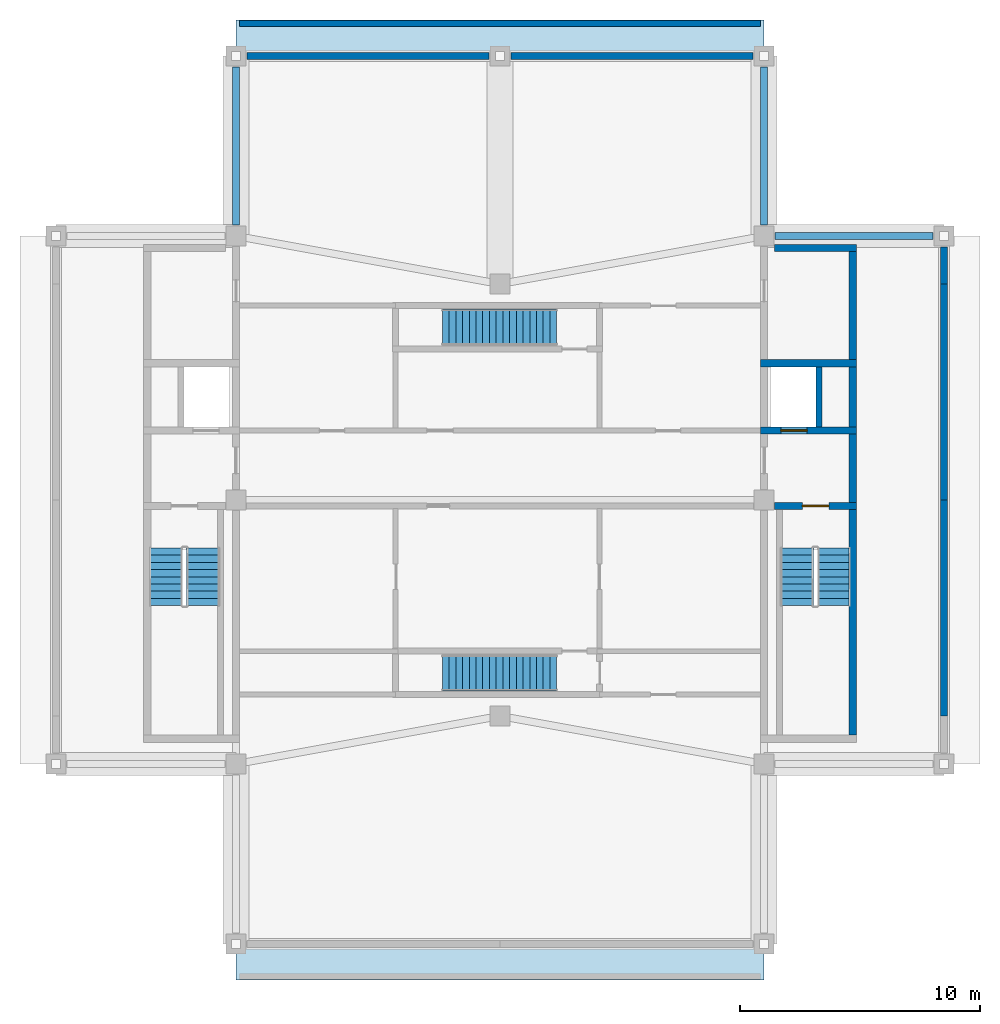
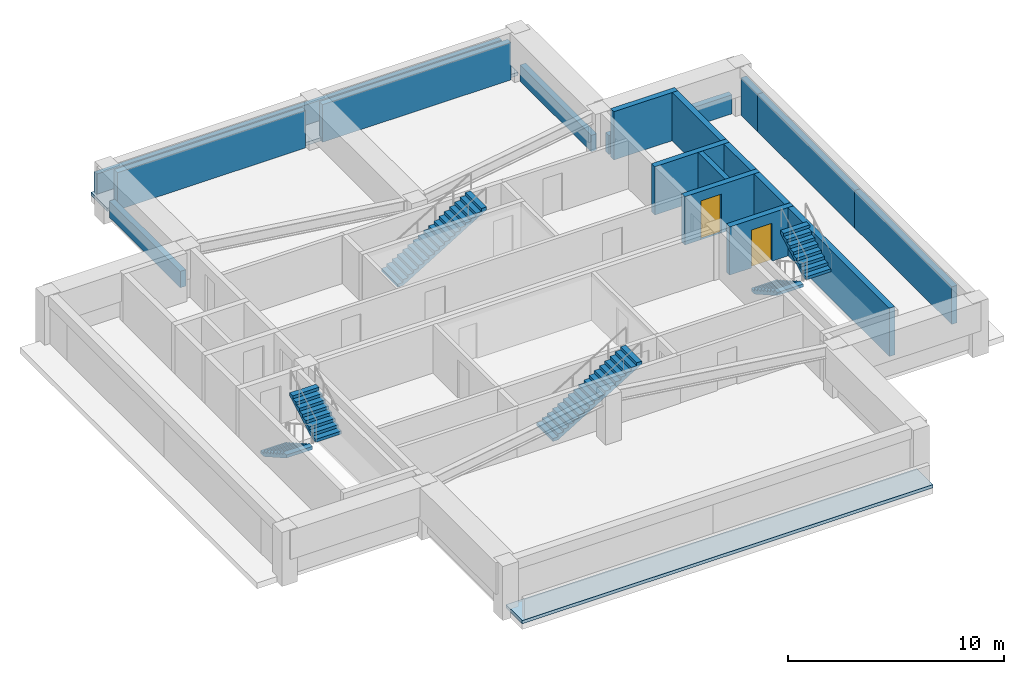
# One storey, part 3 of 4: 18 walls, 6 stair flights, 2 doors, 2 roofs, 2 openings, 4 elements without a shape of their own.
"""IFC4 building model written with IfcOpenShell, lengths in metres."""

from ifc_helpers import new_model, si_unit, direction, frame, frame_2d, origin, place, context, subcontext, project, spatial, polyline, rectangle, outline, extrude, material, layer, layer_set, type_object, element, fill, aggregate, save


model = new_model("IFC4")

# Units and contexts
model_context = context("Model", 3, precision=1e-05, world=origin(), true_north=direction((0.0, 1.0)))
body_context = subcontext(model_context, "Body", "Model", "MODEL_VIEW")
ifc_project = project(units=[si_unit("LENGTHUNIT", "METRE"), si_unit("AREAUNIT", "SQUARE_METRE"), si_unit("VOLUMEUNIT", "CUBIC_METRE"), si_unit("PLANEANGLEUNIT", "RADIAN"), si_unit("MASSUNIT", "GRAM", prefix="KILO")], contexts=[model_context])

# Site, building, storey
site_placement = place(None, origin())
site = spatial("IfcSite", under=ifc_project, at=site_placement, CompositionType="ELEMENT")
building_placement = place(site_placement, origin())
building = spatial("IfcBuilding", under=site, at=building_placement, Name="Zulmaris Gate Convention Tower", CompositionType="ELEMENT")
storey_placement = place(building_placement, frame((0.0, 0.0, 284.85986328125)))
storey = spatial("IfcBuildingStorey", under=building, at=storey_placement, Name="L76", CompositionType="ELEMENT", Elevation=284.85986328125)

# Wall
ifc_material_1 = material(Name="Concrete C50/60", Category="concrete")
ifc_layer_1 = layer(ifc_material_1, 0.25, Name="Concrete C50/60")
ifc_layer_set_1 = layer_set([ifc_layer_1], Name="Concrete C50/60")
wall_type_1 = type_object("IfcWallType", Name="CORE-250", PredefinedType="SOLIDWALL", material=ifc_layer_set_1)
wall_1_placement = place(storey_placement, frame((13.300048828125, 3.052001953125, 0.0), z_axis=(0.0, 0.0, 1.0), x_axis=(0.0, 1.0, 0.0)))
element("IfcWall", 1, at=wall_1_placement, inside=storey, type_object=wall_type_1, Name="WL-L76-042", PredefinedType="SOLIDWALL", context=body_context, shape_type="SweptSolid", body=[
    extrude(rectangle(XDim=2.49609375, YDim=0.25, at=frame_2d((1.248046875, 0.0))), origin(), (0.0, 0.0, 1.0), 2.735107421875),
])

# Wall, opening, door
ifc_layer_2 = layer(ifc_material_1, 0.300048828125, Name="Concrete C50/60")
ifc_layer_set_2 = layer_set([ifc_layer_2], Name="Concrete C50/60")
wall_type_2 = type_object("IfcWallType", Name="CORE-300", PredefinedType="SHEAR", material=ifc_layer_set_2)
wall_2_placement = place(storey_placement, frame((11.428955078125, -0.25, 0.0), z_axis=(0.0, 0.0, 1.0), x_axis=(1.0, 0.0, 0.0)))
wall_2 = element("IfcWall", 2, at=wall_2_placement, inside=storey, type_object=wall_type_2, Name="WL-L76-006", PredefinedType="SHEAR", context=body_context, shape_type="SweptSolid", body=[
    extrude(rectangle(XDim=3.421142578125, YDim=0.300048828125, at=frame_2d((1.71044921875, 0.0))), origin(), (0.0, 0.0, 1.0), 2.735107421875),
])
opening_1_placement = place(wall_2_placement, frame((1.1708984375, 0.0, 0.0)))
opening_1 = element("IfcOpeningElement", 3, at=opening_1_placement, cuts=wall_2, Name="Opening D-08", PredefinedType="OPENING", context=body_context, shape_type="SweptSolid", body=[
    extrude(rectangle(XDim=1.10009765625, YDim=2.14990234375, at=frame_2d((0.550048828125, 1.074951171875))), frame((0.0, 0.16015625, 0.0), z_axis=(0.0, -1.0, 0.0), x_axis=(1.0, 0.0, 0.0)), (0.0, 0.0, 1.0), 0.320068359375),
])
ifc_material_2 = material(Name="Fire-Rated Steel", Category="steel")
door_type_1 = type_object("IfcDoorType", Name="DR-1100-FD", OperationType="NOTDEFINED", PredefinedType="DOOR", material=ifc_material_2)
door_1_placement = place(opening_1_placement, origin())
door_1 = element("IfcDoor", 4, at=door_1_placement, inside=storey, type_object=door_type_1, Name="L76 Exit Stair ST-2 Door 04", OperationType="SINGLE_SWING_RIGHT", OverallHeight=2.14990234375, OverallWidth=1.10009765625, PredefinedType="DOOR", context=body_context, shape_type="SweptSolid", body=[
    extrude(rectangle(XDim=1.10009765625, YDim=2.14990234375, at=frame_2d((0.550048828125, 1.074951171875))), frame((0.0, 0.02490234375, 0.0), z_axis=(0.0, -1.0, 0.0), x_axis=(1.0, 0.0, 0.0)), (0.0, 0.0, 1.0), 0.050048828125),
])
fill(opening_1, door_1)

wall_3_placement = place(storey_placement, frame((10.85009765625, 2.89990234375, 0.0), z_axis=(0.0, 0.0, 1.0), x_axis=(1.0, 0.0, 0.0)))
wall_3 = element("IfcWall", 5, at=wall_3_placement, inside=storey, type_object=wall_type_2, Name="WL-L76-008", PredefinedType="SHEAR", context=body_context, shape_type="SweptSolid", body=[
    extrude(rectangle(XDim=4.0, YDim=0.300048828125, at=frame_2d((2.0, 0.0))), origin(), (0.0, 0.0, 1.0), 2.735107421875),
])
opening_2_placement = place(wall_3_placement, frame((0.85009765625, 0.0, 0.0)))
opening_2 = element("IfcOpeningElement", 6, at=opening_2_placement, cuts=wall_3, Name="Opening D-06", PredefinedType="OPENING", context=body_context, shape_type="SweptSolid", body=[
    extrude(rectangle(XDim=1.10009765625, YDim=2.199951171875, at=frame_2d((0.550048828125, 1.10009765625))), frame((0.0, 0.16015625, 0.0), z_axis=(0.0, -1.0, 0.0), x_axis=(1.0, 0.0, 0.0)), (0.0, 0.0, 1.0), 0.320068359375),
])
ifc_material_3 = material(Name="Brushed Stainless Steel", Category="steel")
door_type_2 = type_object("IfcDoorType", Name="LD-1100", OperationType="NOTDEFINED", PredefinedType="DOOR", material=ifc_material_3)
door_2_placement = place(opening_2_placement, origin())
door_2 = element("IfcDoor", 7, at=door_2_placement, inside=storey, type_object=door_type_2, Name="L76 Lift Landing Door LF-02 06", OperationType="SLIDING_TO_RIGHT", OverallHeight=2.199951171875, OverallWidth=1.10009765625, PredefinedType="DOOR", context=body_context, shape_type="SweptSolid", body=[
    extrude(rectangle(XDim=1.10009765625, YDim=2.199951171875, at=frame_2d((0.550048828125, 1.10009765625))), frame((0.0, 0.02490234375, 0.0), z_axis=(0.0, -1.0, 0.0), x_axis=(1.0, 0.0, 0.0)), (0.0, 0.0, 1.0), 0.050048828125),
])
fill(opening_2, door_2)

# Walls
wall_4_placement = place(storey_placement, frame((10.85009765625, 5.699951171875, 0.0), z_axis=(0.0, 0.0, 1.0), x_axis=(1.0, 0.0, 0.0)))
element("IfcWall", 8, at=wall_4_placement, inside=storey, type_object=wall_type_2, Name="WL-L76-010", PredefinedType="SHEAR", context=body_context, shape_type="SweptSolid", body=[
    extrude(rectangle(XDim=4.0, YDim=0.300048828125, at=frame_2d((2.0, 0.0))), origin(), (0.0, 0.0, 1.0), 2.735107421875),
])
wall_5_placement = place(storey_placement, frame((11.428955078125, 10.5, 0.0), z_axis=(0.0, 0.0, 1.0), x_axis=(1.0, 0.0, 0.0)))
element("IfcWall", 9, at=wall_5_placement, inside=storey, type_object=wall_type_2, Name="WL-L76-014", PredefinedType="SHEAR", context=body_context, shape_type="SweptSolid", body=[
    extrude(rectangle(XDim=3.421142578125, YDim=0.300048828125, at=frame_2d((1.71044921875, 0.0))), origin(), (0.0, 0.0, 1.0), 2.735107421875),
])
wall_6_placement = place(storey_placement, frame((14.699951171875, -9.798095703125, 0.0), z_axis=(0.0, 0.0, 1.0), x_axis=(0.0, 1.0, 0.0)))
element("IfcWall", 10, at=wall_6_placement, inside=storey, type_object=wall_type_2, Name="WL-L76-043", PredefinedType="SHEAR", context=body_context, shape_type="SweptSolid", body=[
    extrude(rectangle(XDim=9.39599609375, YDim=0.300048828125, at=frame_2d((4.697998046875, 0.0))), origin(), (0.0, 0.0, 1.0), 2.735107421875),
])
wall_7_placement = place(storey_placement, frame((14.699951171875, -0.097900390625, 0.0), z_axis=(0.0, 0.0, 1.0), x_axis=(0.0, 1.0, 0.0)))
element("IfcWall", 11, at=wall_7_placement, inside=storey, type_object=wall_type_2, Name="WL-L76-044", PredefinedType="SHEAR", context=body_context, shape_type="SweptSolid", body=[
    extrude(rectangle(XDim=2.845947265625, YDim=0.300048828125, at=frame_2d((1.4228515625, 0.0))), origin(), (0.0, 0.0, 1.0), 2.735107421875),
])
wall_8_placement = place(storey_placement, frame((14.699951171875, 3.052001953125, 0.0), z_axis=(0.0, 0.0, 1.0), x_axis=(0.0, 1.0, 0.0)))
element("IfcWall", 12, at=wall_8_placement, inside=storey, type_object=wall_type_2, Name="WL-L76-045", PredefinedType="SHEAR", context=body_context, shape_type="SweptSolid", body=[
    extrude(rectangle(XDim=2.49609375, YDim=0.300048828125, at=frame_2d((1.248046875, 0.0))), origin(), (0.0, 0.0, 1.0), 2.735107421875),
])
wall_9_placement = place(storey_placement, frame((14.699951171875, 5.85205078125, 0.0), z_axis=(0.0, 0.0, 1.0), x_axis=(0.0, 1.0, 0.0)))
element("IfcWall", 13, at=wall_9_placement, inside=storey, type_object=wall_type_2, Name="WL-L76-046", PredefinedType="SHEAR", context=body_context, shape_type="SweptSolid", body=[
    extrude(rectangle(XDim=4.495849609375, YDim=0.300048828125, at=frame_2d((2.248046875, 0.0))), origin(), (0.0, 0.0, 1.0), 2.735107421875),
])
ifc_material_4 = material(Name="Precast concrete C40/50", Category="concrete")
ifc_layer_3 = layer(ifc_material_4, 0.300048828125, Name="Precast concrete C40/50")
ifc_layer_set_3 = layer_set([ifc_layer_3], Name="Precast concrete C40/50")
wall_type_3 = type_object("IfcWallType", Name="PRECAST-CROWN-300", PredefinedType="STANDARD", material=ifc_layer_set_3)
for number, where, z_axis, x_axis, name in (
    (14, (-0.455078125, 18.5, 0.0), (0.0, 0.0, 1.0), (-1.0, 0.0, 0.0), "EW-L76-CR-N0_0"),
    (15, (10.544921875, 18.5, 0.0), (0.0, 0.0, 1.0), (-1.0, 0.0, 0.0), "EW-L76-CR-N1_0"),
):
    element("IfcWall", number, at=place(storey_placement, frame(where, z_axis=z_axis, x_axis=x_axis)), inside=storey, type_object=wall_type_3, Name=name, PredefinedType="STANDARD", context=body_context, shape_type="SweptSolid", body=[
        extrude(rectangle(XDim=10.08984375, YDim=0.300048828125, at=frame_2d((5.044921875, 0.0))), origin(), (0.0, 0.0, 1.0), 2.126953125),
    ])
for number, where, z_axis, x_axis, name in (
    (16, (18.5, -9.0, 0.0), (0.0, 0.0, 1.0), (0.0, 1.0, 0.0), "EW-L76-CR-E1_0"),
    (17, (18.5, 0.0, 0.0), (0.0, 0.0, 1.0), (0.0, 1.0, 0.0), "EW-L76-CR-E2_0"),
):
    element("IfcWall", number, at=place(storey_placement, frame(where, z_axis=z_axis, x_axis=x_axis)), inside=storey, type_object=wall_type_3, Name=name, PredefinedType="STANDARD", context=body_context, shape_type="SweptSolid", body=[
        extrude(rectangle(XDim=9.0, YDim=0.300048828125, at=frame_2d((4.5, 0.0))), origin(), (0.0, 0.0, 1.0), 2.126953125),
    ])
wall_10_placement = place(storey_placement, frame((18.5, 9.0, 0.0), z_axis=(0.0, 0.0, 1.0), x_axis=(0.0, 1.0, 0.0)))
element("IfcWall", 18, at=wall_10_placement, inside=storey, type_object=wall_type_3, Name="EW-L76-CR-E3_0", PredefinedType="STANDARD", context=body_context, shape_type="SweptSolid", body=[
    extrude(rectangle(XDim=1.544921875, YDim=0.300048828125, at=frame_2d((0.7724609375, 0.0))), origin(), (0.0, 0.0, 1.0), 2.126953125),
])
wall_11_placement = place(storey_placement, frame((18.044921875, 11.0, 0.0), z_axis=(0.0, 0.0, 1.0), x_axis=(-1.0, 0.0, 0.0)))
element("IfcWall", 19, at=wall_11_placement, inside=storey, type_object=wall_type_3, Name="EW-L76-CR-NE1_0", PredefinedType="STANDARD", context=body_context, shape_type="SweptSolid", body=[
    extrude(rectangle(XDim=6.58984375, YDim=0.300048828125, at=frame_2d((3.294921875, 0.0))), origin(), (0.0, 0.0, 1.0), 1.0771484375),
])
for number, where, z_axis, x_axis, name in (
    (20, (11.0, 11.455078125, 0.0), (0.0, 0.0, 1.0), (0.0, 1.0, 0.0), "EW-L76-CR-NE2_0"),
    (21, (-11.0, 18.044921875, 0.0), (0.0, 0.0, 1.0), (0.0, -1.0, 0.0), "EW-L76-CR-NW1_0"),
):
    element("IfcWall", number, at=place(storey_placement, frame(where, z_axis=z_axis, x_axis=x_axis)), inside=storey, type_object=wall_type_3, Name=name, PredefinedType="STANDARD", context=body_context, shape_type="SweptSolid", body=[
        extrude(rectangle(XDim=6.58984375, YDim=0.300048828125, at=frame_2d((3.294921875, 0.0))), origin(), (0.0, 0.0, 1.0), 0.927001953125),
    ])
ifc_layer_4 = layer(ifc_material_4, 0.25, Name="Precast concrete C40/50")
ifc_layer_set_4 = layer_set([ifc_layer_4], Name="Precast concrete C40/50")
wall_type_4 = type_object("IfcWallType", Name="PRECAST-PARAPET-250", PredefinedType="PARAPET", material=ifc_layer_set_4)
wall_12_placement = place(storey_placement, frame((-10.85009765625, 19.85009765625, 0.179931640625), z_axis=(0.0, 0.0, 1.0), x_axis=(1.0, 0.0, 0.0)))
element("IfcWall", 22, at=wall_12_placement, inside=storey, type_object=wall_type_4, Name="PRP-L76-CROWN-N", PredefinedType="PARAPET", context=body_context, shape_type="SweptSolid", body=[
    extrude(rectangle(XDim=21.7001953125, YDim=0.25, at=frame_2d((10.85009765625, 0.0))), origin(), (0.0, 0.0, 1.0), 1.14013671875),
])

# Stair, stair flights
ifc_material_5 = material(Name="Concrete C45/55", Category="concrete")
stair_type_1 = type_object("IfcStairType", Name="ST-CORE-DOGLEG", PredefinedType="HALF_TURN_STAIR", material=ifc_material_5)
stair_1_placement = place(storey_placement, origin())
stair_1 = element("IfcStair", 23, at=stair_1_placement, inside=storey, type_object=stair_type_1, Name="L76 Core Exit Stair ST-1", PredefinedType="HALF_TURN_STAIR")
ifc_layer_5 = layer(ifc_material_5, 0.14990234375, Name="Concrete C45/55")
ifc_layer_set_5 = layer_set([ifc_layer_5], Name="Concrete C45/55")
stair_flight_type = type_object("IfcStairFlightType", Name="STF-RC150", PredefinedType="STRAIGHT", material=ifc_layer_set_5)
stair_flight_1_placement = place(storey_placement, frame((-13.919921875, -2.0, 0.0), z_axis=(0.0, 0.0, 1.0), x_axis=(0.0, -1.0, 0.0)))
stair_flight_1 = element("IfcStairFlight", 24, at=stair_flight_1_placement, type_object=stair_flight_type, Name="ST-1 flight 1", NumberOfRisers=9, NumberOfTreads=8, PredefinedType="STRAIGHT", RiserHeight=0.17, TreadLength=0.3, context=body_context, shape_type="SweptSolid", body=[
    extrude(outline(polyline([(0.0, 0.0), (0.0, 0.169921875), (0.300048828125, 0.169921875), (0.300048828125, 0.340087890625), (0.60009765625, 0.340087890625), (0.60009765625, 0.510009765625), (0.89990234375, 0.510009765625), (0.89990234375, 0.679931640625), (1.199951171875, 0.679931640625), (1.199951171875, 0.85009765625), (1.5, 0.85009765625), (1.5, 1.02001953125), (1.800048828125, 1.02001953125), (1.800048828125, 1.18994140625), (2.10009765625, 1.18994140625), (2.10009765625, 1.360107421875), (2.39990234375, 1.360107421875), (2.39990234375, 1.530029296875), (2.39990234375, 1.187744140625), (0.303955078125, 0.0), (0.0, 0.0)])), frame((0.0, 0.699951171875, 0.0), z_axis=(0.0, -1.0, 0.0), x_axis=(1.0, 0.0, 0.0)), (0.0, 0.0, 1.0), 1.39990234375),
])
stair_flight_2_placement = place(storey_placement, frame((-12.360107421875, -4.39990234375, 1.530029296875), z_axis=(0.0, 0.0, 1.0), x_axis=(0.0, 1.0, 0.0)))
stair_flight_2 = element("IfcStairFlight", 25, at=stair_flight_2_placement, type_object=stair_flight_type, Name="ST-1 flight 2", NumberOfRisers=9, NumberOfTreads=8, PredefinedType="STRAIGHT", RiserHeight=0.17, TreadLength=0.3, context=body_context, shape_type="SweptSolid", body=[
    extrude(outline(polyline([(0.0, 0.0), (0.0, 0.169921875), (0.300048828125, 0.169921875), (0.300048828125, 0.340087890625), (0.60009765625, 0.340087890625), (0.60009765625, 0.510009765625), (0.89990234375, 0.510009765625), (0.89990234375, 0.679931640625), (1.199951171875, 0.679931640625), (1.199951171875, 0.85009765625), (1.5, 0.85009765625), (1.5, 1.02001953125), (1.800048828125, 1.02001953125), (1.800048828125, 1.18994140625), (2.10009765625, 1.18994140625), (2.10009765625, 1.360107421875), (2.39990234375, 1.360107421875), (2.39990234375, 1.530029296875), (2.39990234375, 1.187744140625), (0.303955078125, 0.0), (0.0, 0.0)])), frame((0.0, 0.699951171875, 0.0), z_axis=(0.0, -1.0, 0.0), x_axis=(1.0, 0.0, 0.0)), (0.0, 0.0, 1.0), 1.39990234375),
])
aggregate(stair_1, [stair_flight_1, stair_flight_2])

stair_2_placement = place(storey_placement, origin())
stair_2 = element("IfcStair", 26, at=stair_2_placement, inside=storey, type_object=stair_type_1, Name="L76 Core Exit Stair ST-2", PredefinedType="HALF_TURN_STAIR")
stair_flight_3_placement = place(storey_placement, frame((12.360107421875, -2.0, 0.0), z_axis=(0.0, 0.0, 1.0), x_axis=(0.0, -1.0, 0.0)))
stair_flight_3 = element("IfcStairFlight", 27, at=stair_flight_3_placement, type_object=stair_flight_type, Name="ST-2 flight 1", NumberOfRisers=9, NumberOfTreads=8, PredefinedType="STRAIGHT", RiserHeight=0.17, TreadLength=0.3, context=body_context, shape_type="SweptSolid", body=[
    extrude(outline(polyline([(0.0, 0.0), (0.0, 0.169921875), (0.300048828125, 0.169921875), (0.300048828125, 0.340087890625), (0.60009765625, 0.340087890625), (0.60009765625, 0.510009765625), (0.89990234375, 0.510009765625), (0.89990234375, 0.679931640625), (1.199951171875, 0.679931640625), (1.199951171875, 0.85009765625), (1.5, 0.85009765625), (1.5, 1.02001953125), (1.800048828125, 1.02001953125), (1.800048828125, 1.18994140625), (2.10009765625, 1.18994140625), (2.10009765625, 1.360107421875), (2.39990234375, 1.360107421875), (2.39990234375, 1.530029296875), (2.39990234375, 1.187744140625), (0.303955078125, 0.0), (0.0, 0.0)])), frame((0.0, 0.699951171875, 0.0), z_axis=(0.0, -1.0, 0.0), x_axis=(1.0, 0.0, 0.0)), (0.0, 0.0, 1.0), 1.39990234375),
])
stair_flight_4_placement = place(storey_placement, frame((13.919921875, -4.39990234375, 1.530029296875), z_axis=(0.0, 0.0, 1.0), x_axis=(0.0, 1.0, 0.0)))
stair_flight_4 = element("IfcStairFlight", 28, at=stair_flight_4_placement, type_object=stair_flight_type, Name="ST-2 flight 2", NumberOfRisers=9, NumberOfTreads=8, PredefinedType="STRAIGHT", RiserHeight=0.17, TreadLength=0.3, context=body_context, shape_type="SweptSolid", body=[
    extrude(outline(polyline([(0.0, 0.0), (0.0, 0.169921875), (0.300048828125, 0.169921875), (0.300048828125, 0.340087890625), (0.60009765625, 0.340087890625), (0.60009765625, 0.510009765625), (0.89990234375, 0.510009765625), (0.89990234375, 0.679931640625), (1.199951171875, 0.679931640625), (1.199951171875, 0.85009765625), (1.5, 0.85009765625), (1.5, 1.02001953125), (1.800048828125, 1.02001953125), (1.800048828125, 1.18994140625), (2.10009765625, 1.18994140625), (2.10009765625, 1.360107421875), (2.39990234375, 1.360107421875), (2.39990234375, 1.530029296875), (2.39990234375, 1.187744140625), (0.303955078125, 0.0), (0.0, 0.0)])), frame((0.0, 0.699951171875, 0.0), z_axis=(0.0, -1.0, 0.0), x_axis=(1.0, 0.0, 0.0)), (0.0, 0.0, 1.0), 1.39990234375),
])
aggregate(stair_2, [stair_flight_3, stair_flight_4])

# Stair, stair flight
stair_type_2 = type_object("IfcStairType", Name="ST-CRN-STRAIGHT", PredefinedType="STRAIGHT_RUN_STAIR", material=ifc_material_5)
stair_3_placement = place(storey_placement, origin())
stair_3 = element("IfcStair", 29, at=stair_3_placement, inside=storey, type_object=stair_type_2, Name="L76 Crown Straight Stair ST-7", PredefinedType="STRAIGHT_RUN_STAIR")
stair_flight_5_placement = place(storey_placement, frame((-2.39990234375, -7.199951171875, 0.0), z_axis=(0.0, 0.0, 1.0), x_axis=(1.0, 0.0, 0.0)))
stair_flight_5 = element("IfcStairFlight", 30, at=stair_flight_5_placement, type_object=stair_flight_type, Name="ST-7 flight 1", NumberOfRisers=18, NumberOfTreads=17, PredefinedType="STRAIGHT", RiserHeight=0.17, TreadLength=0.28, context=body_context, shape_type="SweptSolid", body=[
    extrude(outline(polyline([(0.0, 0.0), (0.0, 0.169921875), (0.280029296875, 0.169921875), (0.280029296875, 0.340087890625), (0.56005859375, 0.340087890625), (0.56005859375, 0.510009765625), (0.840087890625, 0.510009765625), (0.840087890625, 0.679931640625), (1.1201171875, 0.679931640625), (1.1201171875, 0.85009765625), (1.39990234375, 0.85009765625), (1.39990234375, 1.02001953125), (1.679931640625, 1.02001953125), (1.679931640625, 1.18994140625), (1.9599609375, 1.18994140625), (1.9599609375, 1.360107421875), (2.239990234375, 1.360107421875), (2.239990234375, 1.530029296875), (2.52001953125, 1.530029296875), (2.52001953125, 1.699951171875), (2.800048828125, 1.699951171875), (2.800048828125, 1.8701171875), (3.080078125, 1.8701171875), (3.080078125, 2.0400390625), (3.360107421875, 2.0400390625), (3.360107421875, 2.2099609375), (3.639892578125, 2.2099609375), (3.639892578125, 2.3798828125), (3.919921875, 2.3798828125), (3.919921875, 2.550048828125), (4.199951171875, 2.550048828125), (4.199951171875, 2.719970703125), (4.47998046875, 2.719970703125), (4.47998046875, 2.889892578125), (4.760009765625, 2.889892578125), (4.760009765625, 3.06005859375), (4.760009765625, 2.714599609375), (0.288818359375, 0.0), (0.0, 0.0)])), frame((0.0, 0.75, 0.0), z_axis=(0.0, -1.0, 0.0), x_axis=(1.0, 0.0, 0.0)), (0.0, 0.0, 1.0), 1.5),
])
aggregate(stair_3, [stair_flight_5])

stair_4_placement = place(storey_placement, origin())
stair_4 = element("IfcStair", 31, at=stair_4_placement, inside=storey, type_object=stair_type_2, Name="L76 Crown Straight Stair ST-8", PredefinedType="STRAIGHT_RUN_STAIR")
stair_flight_6_placement = place(storey_placement, frame((-2.39990234375, 7.199951171875, 0.0), z_axis=(0.0, 0.0, 1.0), x_axis=(1.0, 0.0, 0.0)))
stair_flight_6 = element("IfcStairFlight", 32, at=stair_flight_6_placement, type_object=stair_flight_type, Name="ST-8 flight 1", NumberOfRisers=18, NumberOfTreads=17, PredefinedType="STRAIGHT", RiserHeight=0.17, TreadLength=0.28, context=body_context, shape_type="SweptSolid", body=[
    extrude(outline(polyline([(0.0, 0.0), (0.0, 0.169921875), (0.280029296875, 0.169921875), (0.280029296875, 0.340087890625), (0.56005859375, 0.340087890625), (0.56005859375, 0.510009765625), (0.840087890625, 0.510009765625), (0.840087890625, 0.679931640625), (1.1201171875, 0.679931640625), (1.1201171875, 0.85009765625), (1.39990234375, 0.85009765625), (1.39990234375, 1.02001953125), (1.679931640625, 1.02001953125), (1.679931640625, 1.18994140625), (1.9599609375, 1.18994140625), (1.9599609375, 1.360107421875), (2.239990234375, 1.360107421875), (2.239990234375, 1.530029296875), (2.52001953125, 1.530029296875), (2.52001953125, 1.699951171875), (2.800048828125, 1.699951171875), (2.800048828125, 1.8701171875), (3.080078125, 1.8701171875), (3.080078125, 2.0400390625), (3.360107421875, 2.0400390625), (3.360107421875, 2.2099609375), (3.639892578125, 2.2099609375), (3.639892578125, 2.3798828125), (3.919921875, 2.3798828125), (3.919921875, 2.550048828125), (4.199951171875, 2.550048828125), (4.199951171875, 2.719970703125), (4.47998046875, 2.719970703125), (4.47998046875, 2.889892578125), (4.760009765625, 2.889892578125), (4.760009765625, 3.06005859375), (4.760009765625, 2.714599609375), (0.288818359375, 0.0), (0.0, 0.0)])), frame((0.0, 0.75, 0.0), z_axis=(0.0, -1.0, 0.0), x_axis=(1.0, 0.0, 0.0)), (0.0, 0.0, 1.0), 1.5),
])
aggregate(stair_4, [stair_flight_6])

# Roofs
ifc_material_6 = material(Name="Concrete C40/50", Category="concrete")
ifc_layer_6 = layer(ifc_material_6, 0.219970703125, Name="Concrete C40/50")
ifc_layer_set_6 = layer_set([ifc_layer_6], Name="Concrete C40/50")
slab_type = type_object("IfcSlabType", Name="RF-MEMBRANE-220", PredefinedType="ROOF", material=ifc_layer_set_6)
roof_1_placement = place(storey_placement, origin())
element("IfcRoof", 33, at=roof_1_placement, inside=storey, type_object=slab_type, Name="RF-L76-CROWN-STEP-N", PredefinedType="FLAT_ROOF", context=body_context, shape_type="SweptSolid", body=[
    extrude(outline(polyline([(-11.0, 18.5), (11.0, 18.5), (11.0, 20.0), (-11.0, 20.0), (-11.0, 18.5)])), origin(), (0.0, 0.0, 1.0), 0.179931640625),
])
roof_2_placement = place(storey_placement, origin())
element("IfcRoof", 34, at=roof_2_placement, inside=storey, type_object=slab_type, Name="RF-L76-CROWN-STEP-S", PredefinedType="FLAT_ROOF", context=body_context, shape_type="SweptSolid", body=[
    extrude(outline(polyline([(-11.0, -20.0), (11.0, -20.0), (11.0, -18.5), (-11.0, -18.5), (-11.0, -20.0)])), origin(), (0.0, 0.0, 1.0), 0.179931640625),
])

save(model, "model.ifc")
